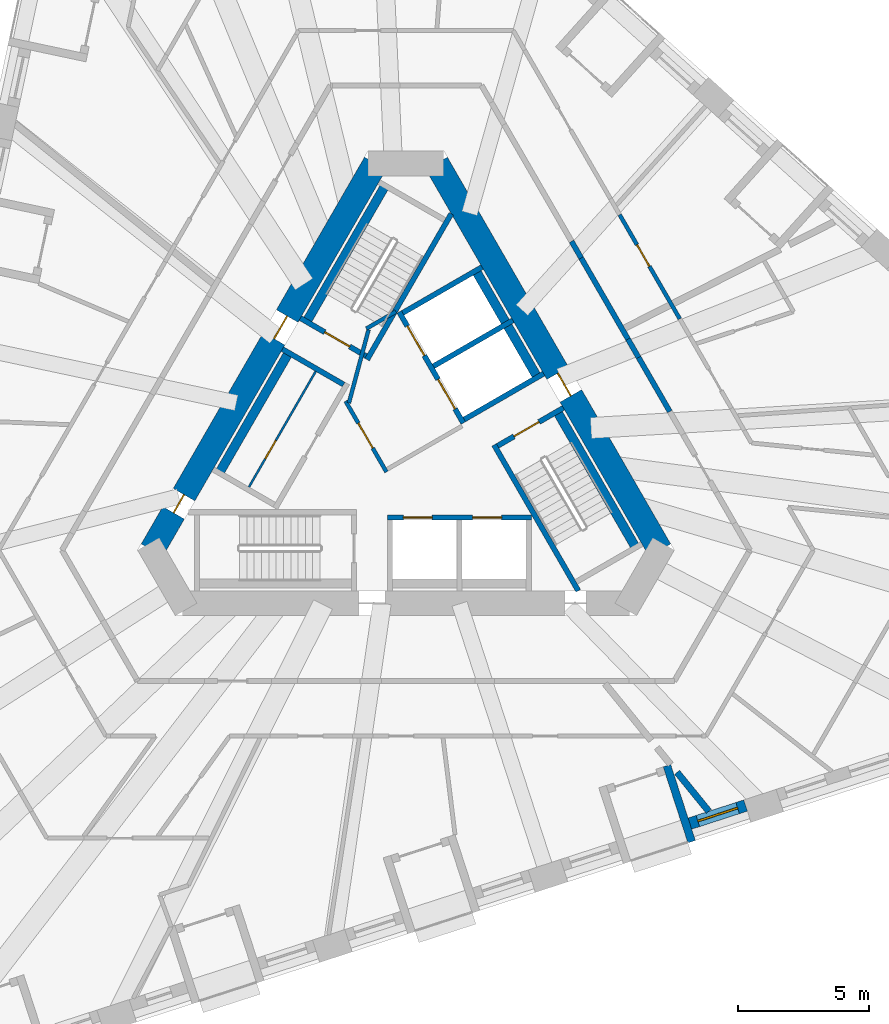
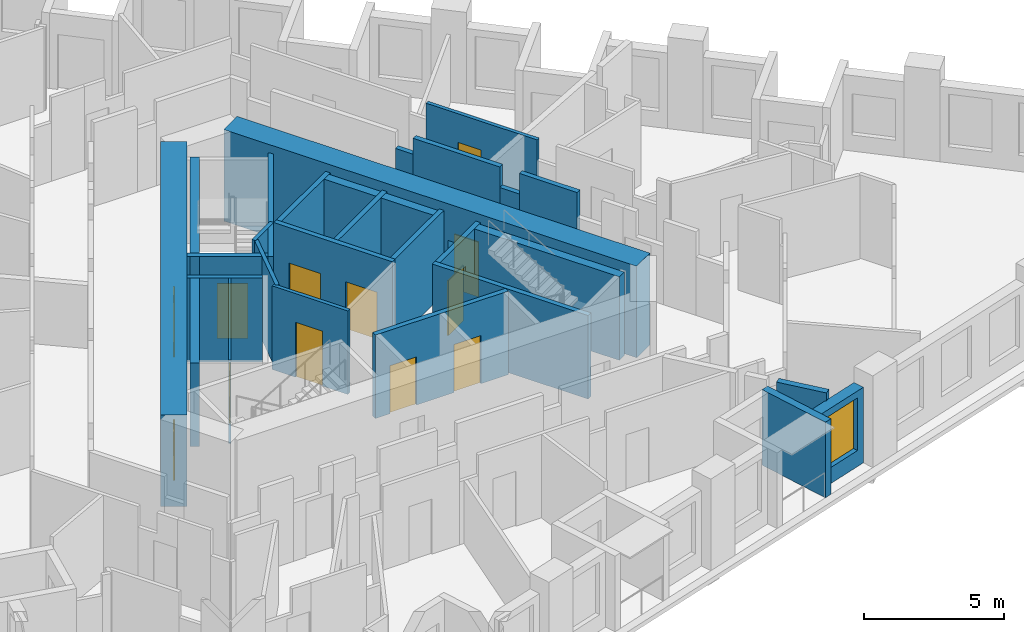
# One storey, part 5 of 13: 28 walls, 12 doors, 1 window, 13 openings.
"""IFC4 building model written with IfcOpenShell, lengths in metres."""

from ifc_helpers import new_model, si_unit, direction, frame, frame_2d, origin, place, context, subcontext, project, spatial, rectangle, extrude, material, layer, layer_set, type_object, element, fill, save


model = new_model("IFC4")

# Units and contexts
model_context = context("Model", 3, precision=1e-05, world=origin(), true_north=direction((0.0, 1.0)))
body_context = subcontext(model_context, "Body", "Model", "MODEL_VIEW")
ifc_project = project(units=[si_unit("LENGTHUNIT", "METRE"), si_unit("AREAUNIT", "SQUARE_METRE"), si_unit("VOLUMEUNIT", "CUBIC_METRE"), si_unit("PLANEANGLEUNIT", "RADIAN"), si_unit("MASSUNIT", "GRAM", prefix="KILO")], contexts=[model_context])

# Site, building, storey
site_placement = place(None, origin())
site = spatial("IfcSite", under=ifc_project, at=site_placement, CompositionType="ELEMENT")
building_placement = place(site_placement, origin())
building = spatial("IfcBuilding", under=site, at=building_placement, Name="Tramontana Tower", CompositionType="ELEMENT")
storey_placement = place(building_placement, frame((0.0, 0.0, 116.39990234375)))
storey = spatial("IfcBuildingStorey", under=building, at=storey_placement, Name="L26", CompositionType="ELEMENT", Elevation=116.39990234375)

# Wall, openings, doors
ifc_material_1 = material(Name="Concrete 70 MPa", Category="concrete")
ifc_layer_1 = layer(ifc_material_1, 0.949951171875)
ifc_layer_set_1 = layer_set([ifc_layer_1], Name="Core wall 950 70 MPa")
wall_type_1 = type_object("IfcWallType", Name="Core wall 950 70 MPa", PredefinedType="SHEAR", material=ifc_layer_set_1)
wall_1_placement = place(storey_placement, frame((-1.169189453125, 10.52490234375, 0.0), z_axis=(0.0, 0.0, 1.0), x_axis=(-0.499999102847, -0.866025921755, 0.0)))
wall_1 = element("IfcWall", 1, at=wall_1_placement, inside=storey, type_object=wall_type_1, Name="Core wall C1 L26", PredefinedType="SHEAR", context=body_context, shape_type="SweptSolid", body=[
    extrude(rectangle(XDim=17.060546875, YDim=0.949951171875, at=frame_2d((8.5302734375, 0.0))), origin(), (0.0, 0.0, 1.0), 4.0),
])
opening_1_placement = place(wall_1_placement, frame((6.7353515625, 0.0, 0.0)))
opening_1 = element("IfcOpeningElement", 2, at=opening_1_placement, cuts=wall_1, Name="Opening RG1", PredefinedType="OPENING", context=body_context, shape_type="SweptSolid", body=[
    extrude(rectangle(XDim=1.0, YDim=2.39990234375, at=frame_2d((0.5, 1.199951171875))), frame((0.0, 0.48486328125, 0.0), z_axis=(0.0, -1.0, 0.0), x_axis=(1.0, 0.0, 0.0)), (0.0, 0.0, 1.0), 0.969970703125),
])
opening_2_placement = place(wall_1_placement, frame((14.612548828125, 0.0, 0.0)))
opening_2 = element("IfcOpeningElement", 3, at=opening_2_placement, cuts=wall_1, Name="Opening PD1", PredefinedType="OPENING", context=body_context, shape_type="SweptSolid", body=[
    extrude(rectangle(XDim=0.800048828125, YDim=2.10009765625, at=frame_2d((0.39990234375, 1.050048828125))), frame((0.0, 0.48486328125, 0.0), z_axis=(0.0, -1.0, 0.0), x_axis=(1.0, 0.0, 0.0)), (0.0, 0.0, 1.0), 0.969970703125),
])
ifc_material_2 = material(Name="Painted steel", Category="steel")
door_type_1 = type_object("IfcDoorType", Name="CUPBOARD DOOR 800", OperationType="SINGLE_SWING_LEFT", PredefinedType="DOOR", material=ifc_material_2)
door_1_placement = place(opening_2_placement, origin())
door_1 = element("IfcDoor", 4, at=door_1_placement, inside=storey, type_object=door_type_1, Name="Door PD1", OperationType="SINGLE_SWING_LEFT", OverallHeight=2.10009765625, OverallWidth=0.800048828125, PredefinedType="DOOR", context=body_context, shape_type="SweptSolid", body=[
    extrude(rectangle(XDim=0.800048828125, YDim=2.10009765625, at=frame_2d((0.39990234375, 1.050048828125))), frame((0.0, 0.02490234375, 0.0), z_axis=(0.0, -1.0, 0.0), x_axis=(1.0, 0.0, 0.0)), (0.0, 0.0, 1.0), 0.050048828125),
])
fill(opening_2, door_1)
ifc_material_3 = material(Name="Painted steel", Category="steel")
door_type_2 = type_object("IfcDoorType", Name="RING DOOR 1000", OperationType="SINGLE_SWING_LEFT", PredefinedType="DOOR", material=ifc_material_3)
door_2_placement = place(opening_1_placement, origin())
door_2 = element("IfcDoor", 5, at=door_2_placement, inside=storey, type_object=door_type_2, Name="Door RG1", OperationType="SINGLE_SWING_RIGHT", OverallHeight=2.39990234375, OverallWidth=1.0, PredefinedType="DOOR", context=body_context, shape_type="SweptSolid", body=[
    extrude(rectangle(XDim=1.0, YDim=2.39990234375, at=frame_2d((0.5, 1.199951171875))), frame((0.0, 0.02490234375, 0.0), z_axis=(0.0, -1.0, 0.0), x_axis=(1.0, 0.0, 0.0)), (0.0, 0.0, 1.0), 0.050048828125),
])
fill(opening_1, door_2)

# Wall, opening, door
wall_2_placement = place(storey_placement, frame((9.699462890625, -4.25, 0.0), z_axis=(0.0, 0.0, 1.0), x_axis=(-0.499999102847, 0.866025921755, 0.0)))
wall_2 = element("IfcWall", 6, at=wall_2_placement, inside=storey, type_object=wall_type_1, Name="Core wall C5 L26", PredefinedType="SHEAR", context=body_context, shape_type="SweptSolid", body=[
    extrude(rectangle(XDim=17.060546875, YDim=0.949951171875, at=frame_2d((8.5302734375, 0.0))), origin(), (0.0, 0.0, 1.0), 4.0),
])
opening_3_placement = place(wall_2_placement, frame((6.805419921875, 0.0, 0.0)))
opening_3 = element("IfcOpeningElement", 7, at=opening_3_placement, cuts=wall_2, Name="Opening RG3", PredefinedType="OPENING", context=body_context, shape_type="SweptSolid", body=[
    extrude(rectangle(XDim=1.0, YDim=2.39990234375, at=frame_2d((0.5, 1.199951171875))), frame((0.0, 0.48486328125, 0.0), z_axis=(0.0, -1.0, 0.0), x_axis=(1.0, 0.0, 0.0)), (0.0, 0.0, 1.0), 0.969970703125),
])
door_3_placement = place(opening_3_placement, origin())
door_3 = element("IfcDoor", 8, at=door_3_placement, inside=storey, type_object=door_type_2, Name="Door RG3", OperationType="SINGLE_SWING_RIGHT", OverallHeight=2.39990234375, OverallWidth=1.0, PredefinedType="DOOR", context=body_context, shape_type="SweptSolid", body=[
    extrude(rectangle(XDim=1.0, YDim=2.39990234375, at=frame_2d((0.5, 1.199951171875))), frame((0.0, 0.02490234375, 0.0), z_axis=(0.0, -1.0, 0.0), x_axis=(1.0, 0.0, 0.0)), (0.0, 0.0, 1.0), 0.050048828125),
])
fill(opening_3, door_3)

# Walls
ifc_material_4 = material(Name="Blockwork", Category="masonry")
ifc_layer_2 = layer(ifc_material_4, 0.199951171875)
ifc_layer_set_2 = layer_set([ifc_layer_2], Name="ENTRY WALL 200")
wall_type_2 = type_object("IfcWallType", Name="ENTRY WALL 200", PredefinedType="SOLIDWALL", material=ifc_layer_set_2)
wall_3_placement = place(storey_placement, frame((6.323974609375, 7.546630859375, 0.0), z_axis=(0.0, 0.0, 1.0), x_axis=(0.499885169746, -0.866091690913, 0.0)))
element("IfcWall", 9, at=wall_3_placement, inside=storey, type_object=wall_type_2, Name="Wall v22-ew0-3", PredefinedType="SOLIDWALL", context=body_context, shape_type="SweptSolid", body=[
    extrude(rectangle(XDim=0.736083984375, YDim=0.199951171875, at=frame_2d((0.3681640625, 0.0))), origin(), (0.0, 0.0, 1.0), 2.9501953125),
])
wall_4_placement = place(storey_placement, frame((6.69189453125, 6.9091796875, 0.0), z_axis=(0.0, 0.0, 1.0), x_axis=(0.500029679218, -0.866008267802, 0.0)))
element("IfcWall", 10, at=wall_4_placement, inside=storey, type_object=wall_type_2, Name="Wall v22-ew0-4", PredefinedType="SOLIDWALL", context=body_context, shape_type="SweptSolid", body=[
    extrude(rectangle(XDim=3.576904296875, YDim=0.199951171875, at=frame_2d((1.78857421875, 0.0))), origin(), (0.0, 0.0, 1.0), 3.650146484375),
])
wall_5_placement = place(storey_placement, frame((8.48046875, 3.8115234375, 0.0), z_axis=(0.0, 0.0, 1.0), x_axis=(0.499809598504, -0.866135304236, 0.0)))
element("IfcWall", 11, at=wall_5_placement, inside=storey, type_object=wall_type_2, Name="Wall v22-ew0-5", PredefinedType="SOLIDWALL", context=body_context, shape_type="SweptSolid", body=[
    extrude(rectangle(XDim=0.808349609375, YDim=0.199951171875, at=frame_2d((0.404296875, 0.0))), origin(), (0.0, 0.0, 1.0), 2.75),
])
wall_6_placement = place(storey_placement, frame((8.884521484375, 3.111328125, 0.0), z_axis=(0.0, 0.0, 1.0), x_axis=(0.500035462246, -0.866004928679, 0.0)))
element("IfcWall", 12, at=wall_6_placement, inside=storey, type_object=wall_type_2, Name="Wall v22-ew0-6", PredefinedType="SOLIDWALL", context=body_context, shape_type="SweptSolid", body=[
    extrude(rectangle(XDim=2.385498046875, YDim=0.199951171875, at=frame_2d((1.19287109375, 0.0))), origin(), (0.0, 0.0, 1.0), 3.650146484375),
])

# Wall, opening, window
ifc_material_5 = material(Name="Precast concrete 60 MPa", Category="concrete")
ifc_layer_3 = layer(ifc_material_5, 0.449951171875)
ifc_layer_set_3 = layer_set([ifc_layer_3], Name="Precast concrete 60 MPa, 450 mm")
wall_type_3 = type_object("IfcWallType", Name="EW1 Stone-faced precast wall 450", PredefinedType="SOLIDWALL", material=ifc_layer_set_3)
wall_7_placement = place(storey_placement, frame((10.8447265625, -14.69287109375, 0.0), z_axis=(0.0, 0.0, 1.0), x_axis=(0.951057328329, 0.30901449518, 0.0)))
wall_7 = element("IfcWall", 13, at=wall_7_placement, inside=storey, type_object=wall_type_3, Name="External wall L26 face 1 bay 4", PredefinedType="SOLIDWALL", context=body_context, shape_type="SweptSolid", body=[
    extrude(rectangle(XDim=2.236572265625, YDim=0.449951171875, at=frame_2d((1.1181640625, 0.0))), origin(), (0.0, 0.0, 1.0), 3.300048828125),
])
opening_4_placement = place(wall_7_placement, frame((0.318359375, 0.0, 0.699951171875)))
opening_4 = element("IfcOpeningElement", 14, at=opening_4_placement, cuts=wall_7, Name="Opening M1", PredefinedType="OPENING", context=body_context, shape_type="SweptSolid", body=[
    extrude(rectangle(XDim=1.60009765625, YDim=2.300048828125, at=frame_2d((0.800048828125, 1.14990234375))), frame((0.0, 0.23486328125, 0.0), z_axis=(0.0, -1.0, 0.0), x_axis=(1.0, 0.0, 0.0)), (0.0, 0.0, 1.0), 0.469970703125),
])
ifc_material_6 = material(Name="Aluminum frame, double glazing unit", Category="aluminium")
window_type = type_object("IfcWindowType", Name="M1 Window 1.6 x 2.3", PartitioningType="SINGLE_PANEL", PredefinedType="WINDOW", material=ifc_material_6)
window_placement = place(opening_4_placement, origin())
window = element("IfcWindow", 15, at=window_placement, inside=storey, type_object=window_type, Name="Window M1 L26 face 1 module 12", OverallHeight=2.300048828125, OverallWidth=1.60009765625, PartitioningType="SINGLE_PANEL", PredefinedType="WINDOW", context=body_context, shape_type="SweptSolid", body=[
    extrude(rectangle(XDim=1.60009765625, YDim=2.300048828125, at=frame_2d((0.800048828125, 1.14990234375))), frame((0.0, 0.030029296875, 0.0), z_axis=(0.0, -1.0, 0.0), x_axis=(1.0, 0.0, 0.0)), (0.0, 0.0, 1.0), 0.06005859375),
])
fill(opening_4, window)

# Wall
ifc_material_7 = material(Name="Precast concrete 60 MPa", Category="concrete")
ifc_layer_4 = layer(ifc_material_7, 0.300048828125)
ifc_layer_set_4 = layer_set([ifc_layer_4], Name="LW1 Stone-faced loggia wall 300")
wall_type_4 = type_object("IfcWallType", Name="LW1 Stone-faced loggia wall 300", PredefinedType="SOLIDWALL", material=ifc_layer_set_4)
wall_8_placement = place(storey_placement, frame((10.91064453125, -15.38134765625, 0.0), z_axis=(0.0, 0.0, 1.0), x_axis=(-0.309039015525, 0.951049360908, 0.0)))
element("IfcWall", 16, at=wall_8_placement, inside=storey, type_object=wall_type_4, Name="Loggia return L26 G2S1.10b", PredefinedType="SOLIDWALL", context=body_context, shape_type="SweptSolid", body=[
    extrude(rectangle(XDim=3.05029296875, YDim=0.300048828125, at=frame_2d((1.525146484375, 0.0))), origin(), (0.0, 0.0, 1.0), 3.300048828125),
])

# Wall, opening, door
ifc_material_8 = material(Name="Gypsum board partition")
ifc_layer_5 = layer(ifc_material_8, 0.14990234375)
ifc_layer_set_5 = layer_set([ifc_layer_5], Name="PARTITION 150")
wall_type_5 = type_object("IfcWallType", Name="PARTITION 150", PredefinedType="PARTITIONING", material=ifc_layer_set_5)
wall_9_placement = place(storey_placement, frame((-0.744140625, -1.260986328125, 0.0), z_axis=(0.0, 0.0, 1.0), x_axis=(-0.500004234368, 0.866022959057, 0.0)))
wall_9 = element("IfcWall", 17, at=wall_9_placement, inside=storey, type_object=wall_type_5, Name="Wall ff-front", PredefinedType="PARTITIONING", context=body_context, shape_type="SweptSolid", body=[
    extrude(rectangle(XDim=3.125, YDim=0.14990234375, at=frame_2d((1.5625, 0.0))), origin(), (0.0, 0.0, 1.0), 3.650146484375),
])
opening_5_placement = place(wall_9_placement, frame((1.050048828125, 0.0, 0.0)))
opening_5 = element("IfcOpeningElement", 18, at=opening_5_placement, cuts=wall_9, Name="Opening FD1", PredefinedType="OPENING", context=body_context, shape_type="SweptSolid", body=[
    extrude(rectangle(XDim=1.10009765625, YDim=2.39990234375, at=frame_2d((0.550048828125, 1.199951171875))), frame((0.0, 0.0849609375, 0.0), z_axis=(0.0, -1.0, 0.0), x_axis=(1.0, 0.0, 0.0)), (0.0, 0.0, 1.0), 0.169921875),
])
ifc_material_9 = material(Name="Painted timber", Category="wood")
door_type_3 = type_object("IfcDoorType", Name="DOOR ENTRY 1100", OperationType="SINGLE_SWING_LEFT", PredefinedType="DOOR", material=ifc_material_9)
door_4_placement = place(opening_5_placement, origin())
door_4 = element("IfcDoor", 19, at=door_4_placement, inside=storey, type_object=door_type_3, Name="Door FD1", OperationType="SINGLE_SWING_LEFT", OverallHeight=2.39990234375, OverallWidth=1.10009765625, PredefinedType="DOOR", context=body_context, shape_type="SweptSolid", body=[
    extrude(rectangle(XDim=1.10009765625, YDim=2.39990234375, at=frame_2d((0.550048828125, 1.199951171875))), frame((0.0, 0.02490234375, 0.0), z_axis=(0.0, -1.0, 0.0), x_axis=(1.0, 0.0, 0.0)), (0.0, 0.0, 1.0), 0.050048828125),
])
fill(opening_5, door_4)

# Walls
wall_10_placement = place(storey_placement, frame((-2.177978515625, 1.372314453125, 0.0), z_axis=(0.0, 0.0, 1.0), x_axis=(0.258808958833, 0.96592852884, 0.0)))
element("IfcWall", 20, at=wall_10_placement, inside=storey, type_object=wall_type_5, Name="Wall ff-diag", PredefinedType="PARTITIONING", context=body_context, shape_type="SweptSolid", body=[
    extrude(rectangle(XDim=2.902587890625, YDim=0.14990234375, at=frame_2d((1.451171875, 0.0))), origin(), (0.0, 0.0, 1.0), 3.650146484375),
])
wall_11_placement = place(storey_placement, frame((-1.509765625, 4.21484375, 0.0), z_axis=(0.0, 0.0, 1.0), x_axis=(0.866085525409, 0.49989585183, 0.0)))
element("IfcWall", 21, at=wall_11_placement, inside=storey, type_object=wall_type_5, Name="Wall ff-end1", PredefinedType="PARTITIONING", context=body_context, shape_type="SweptSolid", body=[
    extrude(rectangle(XDim=1.300048828125, YDim=0.14990234375, at=frame_2d((0.64990234375, 0.0))), origin(), (0.0, 0.0, 1.0), 3.650146484375),
])

# Wall, opening, door
wall_12_placement = place(storey_placement, frame((8.162841796875, 8.5615234375, 0.0), z_axis=(0.0, 0.0, 1.0), x_axis=(0.500023253097, -0.866011978186, 0.0)))
wall_12 = element("IfcWall", 22, at=wall_12_placement, inside=storey, type_object=wall_type_5, Name="Wall v22-pw30-3", PredefinedType="PARTITIONING", context=body_context, shape_type="SweptSolid", body=[
    extrude(rectangle(XDim=4.590087890625, YDim=0.14990234375, at=frame_2d((2.294921875, 0.0))), origin(), (0.0, 0.0, 1.0), 3.650146484375),
])
opening_6_placement = place(wall_12_placement, frame((1.3212890625, 0.0, 0.0)))
opening_6 = element("IfcOpeningElement", 23, at=opening_6_placement, cuts=wall_12, Name="Opening B2C-04", PredefinedType="OPENING", context=body_context, shape_type="SweptSolid", body=[
    extrude(rectangle(XDim=0.949951171875, YDim=2.39990234375, at=frame_2d((0.47509765625, 1.199951171875))), frame((0.0, 0.0849609375, 0.0), z_axis=(0.0, -1.0, 0.0), x_axis=(1.0, 0.0, 0.0)), (0.0, 0.0, 1.0), 0.169921875),
])
ifc_material_10 = material(Name="Painted timber", Category="wood")
door_type_4 = type_object("IfcDoorType", Name="DOOR ROOM 950", OperationType="SINGLE_SWING_LEFT", PredefinedType="DOOR", material=ifc_material_10)
door_5_placement = place(opening_6_placement, origin())
door_5 = element("IfcDoor", 24, at=door_5_placement, inside=storey, type_object=door_type_4, Name="Door B2C-04", OperationType="SINGLE_SWING_RIGHT", OverallHeight=2.39990234375, OverallWidth=0.949951171875, PredefinedType="DOOR", context=body_context, shape_type="SweptSolid", body=[
    extrude(rectangle(XDim=0.949951171875, YDim=2.39990234375, at=frame_2d((0.47509765625, 1.199951171875))), frame((0.0, 0.02490234375, 0.0), z_axis=(0.0, -1.0, 0.0), x_axis=(1.0, 0.0, 0.0)), (0.0, 0.0, 1.0), 0.050048828125),
])
fill(opening_6, door_5)

ifc_material_11 = material(Name="Gypsum board partition")
ifc_layer_6 = layer(ifc_material_11, 0.080078125)
ifc_layer_set_6 = layer_set([ifc_layer_6], Name="PARTITION 80")
wall_type_6 = type_object("IfcWallType", Name="PARTITION 80", PredefinedType="PARTITIONING", material=ifc_layer_set_6)
wall_13_placement = place(storey_placement, frame((-5.997314453125, -1.837646484375, 0.0), z_axis=(0.0, 0.0, 1.0), x_axis=(0.500005610874, 0.86602216432, 0.0)))
wall_13 = element("IfcWall", 25, at=wall_13_placement, inside=storey, type_object=wall_type_6, Name="Wall row0-split", PredefinedType="PARTITIONING", context=body_context, shape_type="SweptSolid", body=[
    extrude(rectangle(XDim=5.10009765625, YDim=0.080078125, at=frame_2d((2.550048828125, 0.0))), origin(), (0.0, 0.0, 1.0), 3.650146484375),
])
opening_7_placement = place(wall_13_placement, frame((1.25, 0.0, 0.0)))
opening_7 = element("IfcOpeningElement", 26, at=opening_7_placement, cuts=wall_13, Name="Opening RD-0B", PredefinedType="OPENING", context=body_context, shape_type="SweptSolid", body=[
    extrude(rectangle(XDim=0.800048828125, YDim=2.10009765625, at=frame_2d((0.39990234375, 1.050048828125))), frame((0.0, 0.050048828125, 0.0), z_axis=(0.0, -1.0, 0.0), x_axis=(1.0, 0.0, 0.0)), (0.0, 0.0, 1.0), 0.10009765625),
])
door_6_placement = place(opening_7_placement, origin())
door_6 = element("IfcDoor", 27, at=door_6_placement, inside=storey, type_object=door_type_1, Name="Door RD-0B", OperationType="SINGLE_SWING_RIGHT", OverallHeight=2.10009765625, OverallWidth=0.800048828125, PredefinedType="DOOR", context=body_context, shape_type="SweptSolid", body=[
    extrude(rectangle(XDim=0.800048828125, YDim=2.10009765625, at=frame_2d((0.39990234375, 1.050048828125))), frame((0.0, 0.02490234375, 0.0), z_axis=(0.0, -1.0, 0.0), x_axis=(1.0, 0.0, 0.0)), (0.0, 0.0, 1.0), 0.050048828125),
])
fill(opening_7, door_6)

# Walls
ifc_material_12 = material(Name="Blockwork", Category="masonry")
ifc_layer_7 = layer(ifc_material_12, 0.25)
ifc_layer_set_7 = layer_set([ifc_layer_7], Name="PARTY WALL 250")
wall_type_7 = type_object("IfcWallType", Name="PARTY WALL 250", PredefinedType="SOLIDWALL", material=ifc_layer_set_7)
wall_14_placement = place(storey_placement, frame((10.35595703125, -12.735595703125, 0.0), z_axis=(0.0, 0.0, 1.0), x_axis=(0.630813245968, -0.775934693586, 0.0)))
element("IfcWall", 28, at=wall_14_placement, inside=storey, type_object=wall_type_7, Name="Wall v22-pw33", PredefinedType="SOLIDWALL", context=body_context, shape_type="SweptSolid", body=[
    extrude(rectangle(XDim=1.916259765625, YDim=0.25, at=frame_2d((0.9580078125, 0.0))), origin(), (0.0, 0.0, 1.0), 3.650146484375),
])
ifc_material_13 = material(Name="Concrete 70 MPa", Category="concrete")
ifc_layer_8 = layer(ifc_material_13, 0.35009765625)
ifc_layer_set_8 = layer_set([ifc_layer_8], Name="Concrete 70 MPa, 350 mm")
wall_type_8 = type_object("IfcWallType", Name="RC SHAFT BACK WALL 350", PredefinedType="SOLIDWALL", material=ifc_layer_set_8)
wall_15_placement = place(storey_placement, frame((-0.744873046875, 9.760009765625, 0.0), z_axis=(0.0, 0.0, 1.0), x_axis=(-0.49998037582, -0.866036733513, 0.0)))
element("IfcWall", 29, at=wall_15_placement, inside=storey, type_object=wall_type_8, Name="Wall st1-back", PredefinedType="SOLIDWALL", context=body_context, shape_type="SweptSolid", body=[
    extrude(rectangle(XDim=6.199951171875, YDim=0.35009765625, at=frame_2d((3.10009765625, 0.0))), origin(), (0.0, 0.0, 1.0), 3.650146484375),
])
wall_16_placement = place(storey_placement, frame((8.82470703125, -4.23486328125, 0.0), z_axis=(0.0, 0.0, 1.0), x_axis=(-0.499997426962, 0.866026889324, 0.0)))
element("IfcWall", 30, at=wall_16_placement, inside=storey, type_object=wall_type_8, Name="Wall st3-back", PredefinedType="SOLIDWALL", context=body_context, shape_type="SweptSolid", body=[
    extrude(rectangle(XDim=6.19970703125, YDim=0.35009765625, at=frame_2d((3.099853515625, 0.0))), origin(), (0.0, 0.0, 1.0), 3.650146484375),
])
wall_17_placement = place(storey_placement, frame((-4.4296875, 3.37744140625, 0.0), z_axis=(0.0, 0.0, 1.0), x_axis=(-0.499996545922, -0.866027397988, 0.0)))
element("IfcWall", 31, at=wall_17_placement, inside=storey, type_object=wall_type_8, Name="Wall row0-back", PredefinedType="SOLIDWALL", context=body_context, shape_type="SweptSolid", body=[
    extrude(rectangle(XDim=5.5, YDim=0.35009765625, at=frame_2d((2.75, 0.0))), origin(), (0.0, 0.0, 1.0), 3.650146484375),
])
wall_18_placement = place(storey_placement, frame((5.06982421875, 2.268798828125, 0.0), z_axis=(0.0, 0.0, 1.0), x_axis=(-0.49998122708, 0.866036242063, 0.0)))
element("IfcWall", 32, at=wall_18_placement, inside=storey, type_object=wall_type_8, Name="Wall row2-back", PredefinedType="SOLIDWALL", context=body_context, shape_type="SweptSolid", body=[
    extrude(rectangle(XDim=4.900146484375, YDim=0.35009765625, at=frame_2d((2.4501953125, 0.0))), origin(), (0.0, 0.0, 1.0), 3.650146484375),
])
ifc_material_14 = material(Name="Concrete 70 MPa", Category="concrete")
ifc_layer_9 = layer(ifc_material_14, 0.199951171875)
ifc_layer_set_9 = layer_set([ifc_layer_9], Name="Concrete 70 MPa, 200 mm")
wall_type_9 = type_object("IfcWallType", Name="RC STAIR AND SHAFT WALL 200", PredefinedType="SOLIDWALL", material=ifc_layer_set_9)
wall_19_placement = place(storey_placement, frame((1.73193359375, 8.60009765625, 0.0), z_axis=(0.0, 0.0, 1.0), x_axis=(-0.499975376872, -0.866039619487, 0.0)))
element("IfcWall", 33, at=wall_19_placement, inside=storey, type_object=wall_type_9, Name="Wall st1-front", PredefinedType="SOLIDWALL", context=body_context, shape_type="SweptSolid", body=[
    extrude(rectangle(XDim=6.433837890625, YDim=0.199951171875, at=frame_2d((3.216796875, 0.0))), origin(), (0.0, 0.0, 1.0), 3.650146484375),
])

# Wall, opening, door
wall_20_placement = place(storey_placement, frame((-1.521484375, 3.164794921875, 0.0), z_axis=(0.0, 0.0, 1.0), x_axis=(-0.866032775405, 0.499987231761, 0.0)))
wall_20 = element("IfcWall", 34, at=wall_20_placement, inside=storey, type_object=wall_type_9, Name="Wall st1-near", PredefinedType="SOLIDWALL", context=body_context, shape_type="SweptSolid", body=[
    extrude(rectangle(XDim=2.89990234375, YDim=0.199951171875, at=frame_2d((1.449951171875, 0.0))), origin(), (0.0, 0.0, 1.0), 3.650146484375),
])
opening_8_placement = place(wall_20_placement, frame((0.72509765625, 0.0, 0.0)))
opening_8 = element("IfcOpeningElement", 35, at=opening_8_placement, cuts=wall_20, Name="Opening SD1", PredefinedType="OPENING", context=body_context, shape_type="SweptSolid", body=[
    extrude(rectangle(XDim=1.10009765625, YDim=2.39990234375, at=frame_2d((0.550048828125, 1.199951171875))), frame((0.0, 0.10986328125, 0.0), z_axis=(0.0, -1.0, 0.0), x_axis=(1.0, 0.0, 0.0)), (0.0, 0.0, 1.0), 0.219970703125),
])
ifc_material_15 = material(Name="Painted steel", Category="steel")
door_type_5 = type_object("IfcDoorType", Name="STAIR DOOR 1100", OperationType="SINGLE_SWING_LEFT", PredefinedType="DOOR", material=ifc_material_15)
door_7_placement = place(opening_8_placement, origin())
door_7 = element("IfcDoor", 36, at=door_7_placement, inside=storey, type_object=door_type_5, Name="Door SD1", OperationType="SINGLE_SWING_RIGHT", OverallHeight=2.39990234375, OverallWidth=1.10009765625, PredefinedType="DOOR", context=body_context, shape_type="SweptSolid", body=[
    extrude(rectangle(XDim=1.10009765625, YDim=2.39990234375, at=frame_2d((0.550048828125, 1.199951171875))), frame((0.0, 0.02490234375, 0.0), z_axis=(0.0, -1.0, 0.0), x_axis=(1.0, 0.0, 0.0)), (0.0, 0.0, 1.0), 0.050048828125),
])
fill(opening_8, door_7)

# Wall
wall_21_placement = place(storey_placement, frame((6.581787109375, -5.800048828125, 0.0), z_axis=(0.0, 0.0, 1.0), x_axis=(-0.499975376872, 0.866039619487, 0.0)))
element("IfcWall", 37, at=wall_21_placement, inside=storey, type_object=wall_type_9, Name="Wall st3-front", PredefinedType="SOLIDWALL", context=body_context, shape_type="SweptSolid", body=[
    extrude(rectangle(XDim=6.433837890625, YDim=0.199951171875, at=frame_2d((3.216796875, 0.0))), origin(), (0.0, 0.0, 1.0), 3.650146484375),
])

# Wall, opening, door
wall_22_placement = place(storey_placement, frame((3.50146484375, -0.2646484375, 0.0), z_axis=(0.0, 0.0, 1.0), x_axis=(0.866032775405, 0.499987231761, 0.0)))
wall_22 = element("IfcWall", 38, at=wall_22_placement, inside=storey, type_object=wall_type_9, Name="Wall st3-near", PredefinedType="SOLIDWALL", context=body_context, shape_type="SweptSolid", body=[
    extrude(rectangle(XDim=2.89990234375, YDim=0.199951171875, at=frame_2d((1.449951171875, 0.0))), origin(), (0.0, 0.0, 1.0), 3.650146484375),
])
opening_9_placement = place(wall_22_placement, frame((0.72509765625, 0.0, 0.0)))
opening_9 = element("IfcOpeningElement", 39, at=opening_9_placement, cuts=wall_22, Name="Opening SD3", PredefinedType="OPENING", context=body_context, shape_type="SweptSolid", body=[
    extrude(rectangle(XDim=1.10009765625, YDim=2.39990234375, at=frame_2d((0.550048828125, 1.199951171875))), frame((0.0, 0.10986328125, 0.0), z_axis=(0.0, -1.0, 0.0), x_axis=(1.0, 0.0, 0.0)), (0.0, 0.0, 1.0), 0.219970703125),
])
door_8_placement = place(opening_9_placement, origin())
door_8 = element("IfcDoor", 40, at=door_8_placement, inside=storey, type_object=door_type_5, Name="Door SD3", OperationType="SINGLE_SWING_RIGHT", OverallHeight=2.39990234375, OverallWidth=1.10009765625, PredefinedType="DOOR", context=body_context, shape_type="SweptSolid", body=[
    extrude(rectangle(XDim=1.10009765625, YDim=2.39990234375, at=frame_2d((0.550048828125, 1.199951171875))), frame((0.0, 0.02490234375, 0.0), z_axis=(0.0, -1.0, 0.0), x_axis=(1.0, 0.0, 0.0)), (0.0, 0.0, 1.0), 0.050048828125),
])
fill(opening_9, door_8)

# Wall
wall_23_placement = place(storey_placement, frame((-2.379638671875, 2.078369140625, 0.0), z_axis=(0.0, 0.0, 1.0), x_axis=(-0.866059108428, 0.4999416173, 0.0)))
element("IfcWall", 41, at=wall_23_placement, inside=storey, type_object=wall_type_9, Name="Wall row0-side0", PredefinedType="SOLIDWALL", context=body_context, shape_type="SweptSolid", body=[
    extrude(rectangle(XDim=2.699951171875, YDim=0.199951171875, at=frame_2d((1.35009765625, 0.0))), origin(), (0.0, 0.0, 1.0), 3.650146484375),
])

# Wall, openings, doors
wall_24_placement = place(storey_placement, frame((-0.7099609375, -3.0, 0.0), z_axis=(0.0, 0.0, 1.0), x_axis=(1.0, 0.0, 0.0)))
wall_24 = element("IfcWall", 42, at=wall_24_placement, inside=storey, type_object=wall_type_9, Name="Wall row1-front", PredefinedType="SOLIDWALL", context=body_context, shape_type="SweptSolid", body=[
    extrude(rectangle(XDim=5.5, YDim=0.199951171875, at=frame_2d((2.75, 0.0))), origin(), (0.0, 0.0, 1.0), 3.650146484375),
])
opening_10_placement = place(wall_24_placement, frame((0.610107421875, 0.0, 0.0)))
opening_10 = element("IfcOpeningElement", 43, at=opening_10_placement, cuts=wall_24, Name="Opening LD-S1", PredefinedType="OPENING", context=body_context, shape_type="SweptSolid", body=[
    extrude(rectangle(XDim=1.10009765625, YDim=2.10009765625, at=frame_2d((0.550048828125, 1.050048828125))), frame((0.0, 0.10986328125, 0.0), z_axis=(0.0, -1.0, 0.0), x_axis=(1.0, 0.0, 0.0)), (0.0, 0.0, 1.0), 0.219970703125),
])
opening_11_placement = place(wall_24_placement, frame((3.260009765625, 0.0, 0.0)))
opening_11 = element("IfcOpeningElement", 44, at=opening_11_placement, cuts=wall_24, Name="Opening LD-S2", PredefinedType="OPENING", context=body_context, shape_type="SweptSolid", body=[
    extrude(rectangle(XDim=1.10009765625, YDim=2.10009765625, at=frame_2d((0.550048828125, 1.050048828125))), frame((0.0, 0.10986328125, 0.0), z_axis=(0.0, -1.0, 0.0), x_axis=(1.0, 0.0, 0.0)), (0.0, 0.0, 1.0), 0.219970703125),
])
ifc_material_16 = material(Name="Brushed steel", Category="steel")
door_type_6 = type_object("IfcDoorType", Name="LANDING DOOR 1100", OperationType="SINGLE_SWING_LEFT", PredefinedType="DOOR", material=ifc_material_16)
door_9_placement = place(opening_10_placement, origin())
door_9 = element("IfcDoor", 45, at=door_9_placement, inside=storey, type_object=door_type_6, Name="Door LD-S1", OperationType="SLIDING_TO_LEFT", OverallHeight=2.10009765625, OverallWidth=1.10009765625, PredefinedType="DOOR", context=body_context, shape_type="SweptSolid", body=[
    extrude(rectangle(XDim=1.10009765625, YDim=2.10009765625, at=frame_2d((0.550048828125, 1.050048828125))), frame((0.0, 0.02490234375, 0.0), z_axis=(0.0, -1.0, 0.0), x_axis=(1.0, 0.0, 0.0)), (0.0, 0.0, 1.0), 0.050048828125),
])
fill(opening_10, door_9)
door_10_placement = place(opening_11_placement, origin())
door_10 = element("IfcDoor", 46, at=door_10_placement, inside=storey, type_object=door_type_6, Name="Door LD-S2", OperationType="SLIDING_TO_RIGHT", OverallHeight=2.10009765625, OverallWidth=1.10009765625, PredefinedType="DOOR", context=body_context, shape_type="SweptSolid", body=[
    extrude(rectangle(XDim=1.10009765625, YDim=2.10009765625, at=frame_2d((0.550048828125, 1.050048828125))), frame((0.0, 0.02490234375, 0.0), z_axis=(0.0, -1.0, 0.0), x_axis=(1.0, 0.0, 0.0)), (0.0, 0.0, 1.0), 0.050048828125),
])
fill(opening_11, door_10)

wall_25_placement = place(storey_placement, frame((2.190185546875, 0.6064453125, 0.0), z_axis=(0.0, 0.0, 1.0), x_axis=(-0.500002801628, 0.866023786258, 0.0)))
wall_25 = element("IfcWall", 47, at=wall_25_placement, inside=storey, type_object=wall_type_9, Name="Wall row2-front", PredefinedType="SOLIDWALL", context=body_context, shape_type="SweptSolid", body=[
    extrude(rectangle(XDim=4.89990234375, YDim=0.199951171875, at=frame_2d((2.449951171875, 0.0))), origin(), (0.0, 0.0, 1.0), 3.650146484375),
])
opening_12_placement = place(wall_25_placement, frame((0.625, 0.0, 0.0)))
opening_12 = element("IfcOpeningElement", 48, at=opening_12_placement, cuts=wall_25, Name="Opening LD-F1", PredefinedType="OPENING", context=body_context, shape_type="SweptSolid", body=[
    extrude(rectangle(XDim=1.300048828125, YDim=2.10009765625, at=frame_2d((0.64990234375, 1.050048828125))), frame((0.0, 0.10986328125, 0.0), z_axis=(0.0, -1.0, 0.0), x_axis=(1.0, 0.0, 0.0)), (0.0, 0.0, 1.0), 0.219970703125),
])
opening_13_placement = place(wall_25_placement, frame((2.97509765625, 0.0, 0.0)))
opening_13 = element("IfcOpeningElement", 49, at=opening_13_placement, cuts=wall_25, Name="Opening LD-F2", PredefinedType="OPENING", context=body_context, shape_type="SweptSolid", body=[
    extrude(rectangle(XDim=1.300048828125, YDim=2.10009765625, at=frame_2d((0.64990234375, 1.050048828125))), frame((0.0, 0.10986328125, 0.0), z_axis=(0.0, -1.0, 0.0), x_axis=(1.0, 0.0, 0.0)), (0.0, 0.0, 1.0), 0.219970703125),
])
ifc_material_17 = material(Name="Brushed steel", Category="steel")
door_type_7 = type_object("IfcDoorType", Name="LANDING DOOR 1300", OperationType="SINGLE_SWING_LEFT", PredefinedType="DOOR", material=ifc_material_17)
door_11_placement = place(opening_12_placement, origin())
door_11 = element("IfcDoor", 50, at=door_11_placement, inside=storey, type_object=door_type_7, Name="Door LD-F1", OperationType="SLIDING_TO_LEFT", OverallHeight=2.10009765625, OverallWidth=1.300048828125, PredefinedType="DOOR", context=body_context, shape_type="SweptSolid", body=[
    extrude(rectangle(XDim=1.300048828125, YDim=2.10009765625, at=frame_2d((0.64990234375, 1.050048828125))), frame((0.0, 0.02490234375, 0.0), z_axis=(0.0, -1.0, 0.0), x_axis=(1.0, 0.0, 0.0)), (0.0, 0.0, 1.0), 0.050048828125),
])
fill(opening_12, door_11)
door_12_placement = place(opening_13_placement, origin())
door_12 = element("IfcDoor", 51, at=door_12_placement, inside=storey, type_object=door_type_7, Name="Door LD-F2", OperationType="SLIDING_TO_RIGHT", OverallHeight=2.10009765625, OverallWidth=1.300048828125, PredefinedType="DOOR", context=body_context, shape_type="SweptSolid", body=[
    extrude(rectangle(XDim=1.300048828125, YDim=2.10009765625, at=frame_2d((0.64990234375, 1.050048828125))), frame((0.0, 0.02490234375, 0.0), z_axis=(0.0, -1.0, 0.0), x_axis=(1.0, 0.0, 0.0)), (0.0, 0.0, 1.0), 0.050048828125),
])
fill(opening_13, door_12)

# Walls
for number, where, z_axis, x_axis, name in (
    (52, (2.226806640625, 0.742919921875, 0.0), (0.0, 0.0, 1.0), (0.866036909293, 0.499980071345, 0.0), "Wall row2-side0"),
    (53, (1.0517578125, 2.778076171875, 0.0), (0.0, 0.0, 1.0), (0.866036909293, 0.499980071345, 0.0), "Wall row2-side1"),
):
    element("IfcWall", number, at=place(storey_placement, frame(where, z_axis=z_axis, x_axis=x_axis)), inside=storey, type_object=wall_type_9, Name=name, PredefinedType="SOLIDWALL", context=body_context, shape_type="SweptSolid", body=[
        extrude(rectangle(XDim=3.500244140625, YDim=0.199951171875, at=frame_2d((1.75, 0.0))), origin(), (0.0, 0.0, 1.0), 3.650146484375),
    ])
wall_26_placement = place(storey_placement, frame((-0.123046875, 4.813232421875, 0.0), z_axis=(0.0, 0.0, 1.0), x_axis=(0.866019471182, 0.500010275428, 0.0)))
element("IfcWall", 54, at=wall_26_placement, inside=storey, type_object=wall_type_9, Name="Wall row2-side2", PredefinedType="SOLIDWALL", context=body_context, shape_type="SweptSolid", body=[
    extrude(rectangle(XDim=3.5, YDim=0.199951171875, at=frame_2d((1.75, 0.0))), origin(), (0.0, 0.0, 1.0), 3.650146484375),
])

save(model, "model.ifc")
